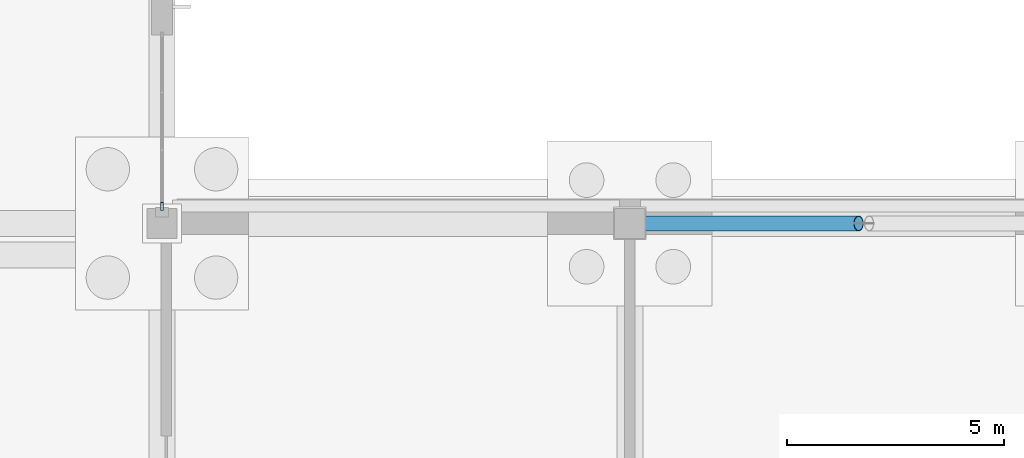
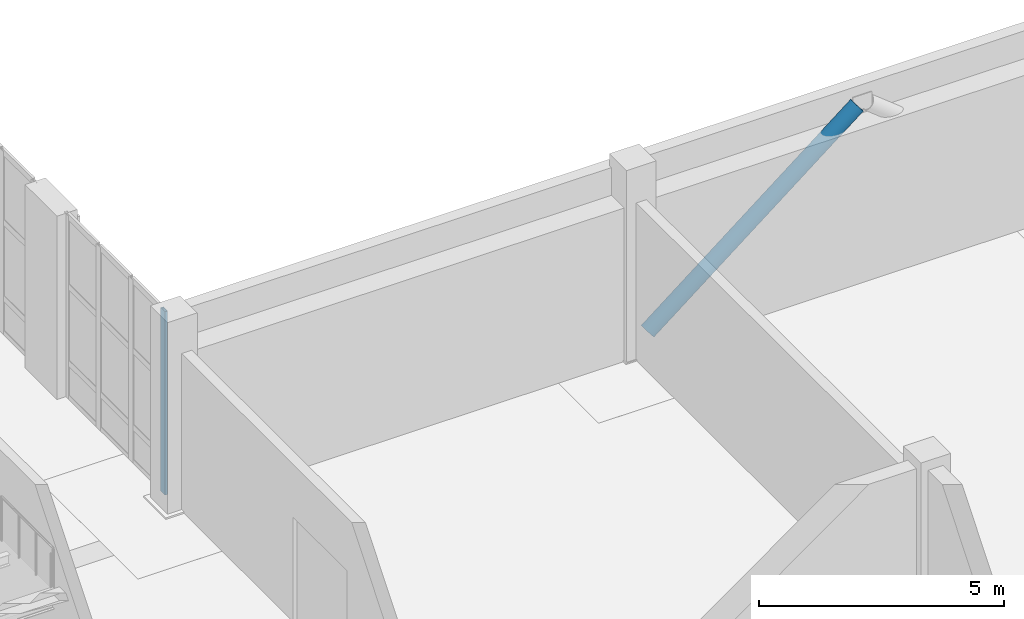
# One storey, part 35 of 73: 2 members, 1 element without a shape of its own.
"""IFC4 building model written with IfcOpenShell, lengths in metres."""

import ifcopenshell
import ifcopenshell.guid

model = None  # the IFC model being written
_history = None  # IfcOwnerHistory: only IFC2X3 demands one
_inside = {}  # id of a spatial element -> (the spatial element, [elements in it])
_under = {}  # id of a project, library or spatial element -> (it, [spatial elements below it])
_declared = {}  # id of a project -> (the project, [libraries it declares])
_typed = {}  # id of a type object -> (the type object, [elements of that type])
_made_of = {}  # id of a material, layer set ... -> (it, [elements and type objects made of it])


def new_model(schema):
    """Start an empty IFC model of exactly this schema.

    Asked for "IFC4X3", IfcOpenShell would pick the latest addendum, in which some entities
    have other attributes; the version numbers below select the first issue.
    IFC2X3 requires an IfcOwnerHistory on every rooted entity: one is made here for all.
    """
    global model, _history
    if schema == "IFC4X3":
        model = ifcopenshell.file(schema_version=(4, 3, 0, 0))
    else:
        model = ifcopenshell.file(schema=schema)
    _inside.clear()
    _under.clear()
    _declared.clear()
    _typed.clear()
    _made_of.clear()
    _history = None
    if model.schema == "IFC2X3":
        org = make("IfcOrganization", Name="unknown")
        user = make(
            "IfcPersonAndOrganization",
            ThePerson=make("IfcPerson", FamilyName="unknown"),
            TheOrganization=org,
        )
        app = make(
            "IfcApplication",
            ApplicationDeveloper=org,
            Version="unknown",
            ApplicationFullName="unknown",
            ApplicationIdentifier="unknown",
        )
        _history = make(
            "IfcOwnerHistory",
            OwningUser=user,
            OwningApplication=app,
            ChangeAction="ADDED",
            CreationDate=0,
        )
    return model


def make(cls, **values):
    """One entity of the class cls with the attributes given. An attribute that is None is left unset."""
    return model.create_entity(
        cls, **{name: value for name, value in values.items() if value is not None}
    )


def rooted(cls, **values):
    """An entity with a GlobalId (a new one), such as an element, a storey or a relation."""
    return make(cls, GlobalId=ifcopenshell.guid.new(), OwnerHistory=_history, **values)


def si_unit(unit_type, name, prefix=None):
    """IfcSIUnit, for example si_unit("LENGTHUNIT", "METRE", prefix="MILLI")."""
    return make("IfcSIUnit", UnitType=unit_type, Prefix=prefix, Name=name)


def assignment(units):
    """IfcUnitAssignment: the units of a project."""
    return None if units is None else make("IfcUnitAssignment", Units=units)


def point(xyz):
    """IfcCartesianPoint."""
    return None if xyz is None else make("IfcCartesianPoint", Coordinates=xyz)


def direction(xyz):
    """IfcDirection."""
    return None if xyz is None else make("IfcDirection", DirectionRatios=xyz)


def frame(location, z_axis=None, x_axis=None):
    """IfcAxis2Placement3D, a coordinate frame: its origin and axes. An axis left out is left unset."""
    return make(
        "IfcAxis2Placement3D",
        Location=point(location),
        Axis=direction(z_axis),
        RefDirection=direction(x_axis),
    )


def frame_2d(location, x_axis=None):
    """IfcAxis2Placement2D, a coordinate frame in the plane: its origin and x axis."""
    return make(
        "IfcAxis2Placement2D", Location=point(location), RefDirection=direction(x_axis)
    )


def origin():
    """The frame at (0, 0, 0) with its axes left unset."""
    return frame((0.0, 0.0, 0.0))


def origin_2d():
    """The frame at (0, 0) in the plane with its x axis left unset."""
    return frame_2d((0.0, 0.0))


def place(relative_to, where):
    """IfcLocalPlacement: puts the frame where relative to a parent placement (None: the world)."""
    return make(
        "IfcLocalPlacement", PlacementRelTo=relative_to, RelativePlacement=where
    )


def context(
    kind, dimensions, precision=None, world=None, true_north=None, identifier=None
):
    """IfcGeometricRepresentationContext, for example the 3D "Model" context."""
    return make(
        "IfcGeometricRepresentationContext",
        ContextIdentifier=identifier,
        ContextType=kind,
        CoordinateSpaceDimension=dimensions,
        Precision=precision,
        WorldCoordinateSystem=world,
        TrueNorth=true_north,
    )


def subcontext(parent, identifier, kind, view, scale=None):
    """IfcGeometricRepresentationSubContext, for example "Body" below "Model"."""
    return make(
        "IfcGeometricRepresentationSubContext",
        ContextIdentifier=identifier,
        ContextType=kind,
        ParentContext=parent,
        TargetScale=scale,
        TargetView=view,
    )


def project(units=None, contexts=None):
    """IfcProject with its units and contexts."""
    return rooted(
        "IfcProject",
        Name="project",
        RepresentationContexts=contexts,
        UnitsInContext=assignment(units),
    )


def spatial(cls, under=None, at=None, **own):
    """A site, building, storey or space (cls), placed at a placement, below another one or the project."""
    s = rooted(cls, ObjectPlacement=at, **own)
    if under is not None:
        _under.setdefault(under.id(), (under, []))[1].append(s)
    return s


def profile(cls, at=None, kind="AREA", **sizes):
    """A parametric profile (cls). Its sizes go by their IFC names, for example OverallWidth=200.0."""
    return make(cls, ProfileType=kind, Position=at, **sizes)


def hollow_rectangle(**sizes):
    """IfcRectangleHollowProfileDef."""
    return profile("IfcRectangleHollowProfileDef", **sizes)


def hollow_circle(**sizes):
    """IfcCircleHollowProfileDef."""
    return profile("IfcCircleHollowProfileDef", **sizes)


def extrude(swept, where, along, depth):
    """IfcExtrudedAreaSolid: the profile swept, set in the frame where, extruded along a direction by depth."""
    return make(
        "IfcExtrudedAreaSolid",
        SweptArea=swept,
        Position=where,
        ExtrudedDirection=direction(along),
        Depth=depth,
    )


def shape(context_of_items, identifier, shape_type, items):
    """IfcShapeRepresentation: the items that make up one representation, for example the "Body"."""
    return make(
        "IfcShapeRepresentation",
        ContextOfItems=context_of_items,
        RepresentationIdentifier=identifier,
        RepresentationType=shape_type,
        Items=items,
    )


def material(Name=None, Category=None):
    """IfcMaterial."""
    return make("IfcMaterial", Name=Name, Category=Category)


def layer(
    of_material, thickness, ventilated=None, Name=None, Category=None, Priority=None
):
    """IfcMaterialLayer: one layer of a wall or slab, of a material (None: an air gap)."""
    return make(
        "IfcMaterialLayer",
        Material=of_material,
        LayerThickness=thickness,
        IsVentilated=ventilated,
        Name=Name,
        Category=Category,
        Priority=Priority,
    )


def layer_set(layers, Name=None):
    """IfcMaterialLayerSet."""
    return make("IfcMaterialLayerSet", MaterialLayers=layers, LayerSetName=Name)


def material_profile(
    of_material, cross_section, Name=None, Category=None, Priority=None
):
    """IfcMaterialProfile: a cross section and its material."""
    return make(
        "IfcMaterialProfile",
        Name=Name,
        Material=of_material,
        Profile=cross_section,
        Priority=Priority,
        Category=Category,
    )


def profile_set(profiles, Name=None, composite=None):
    """IfcMaterialProfileSet."""
    return make(
        "IfcMaterialProfileSet",
        Name=Name,
        MaterialProfiles=profiles,
        CompositeProfile=composite,
    )


def made_of(thing, what):
    """Note that an element or type object is made of a material, layer set ...; save() writes the relation."""
    if what is not None:
        _made_of.setdefault(what.id(), (what, []))[1].append(thing)
    return thing


def type_object(cls, material=None, **own):
    """A type object (cls), such as IfcWallType, which elements share."""
    return made_of(rooted(cls, **own), material)


def element(
    cls,
    number,
    at=None,
    inside=None,
    cuts=None,
    type_object=None,
    material=None,
    context=None,
    identifier="Body",
    shape_type=None,
    held_by="IfcProductDefinitionShape",
    body=None,
    shapes=None,
    **own,
):
    """One element of the class cls, such as IfcWall. Its Tag is "e" and its number.

    at: its placement. inside: the storey or other place that contains it. cuts: it is an
    opening in that element (IfcRelVoidsElement). A single representation is given by context,
    identifier, shape_type and body (its items); several are given by shapes. held_by: the class
    of the entity that holds the representations. save() writes the other relations.
    """
    e = rooted(cls, Tag="e%d" % number, ObjectPlacement=at, **own)
    if body is not None:
        shapes = [shape(context, identifier, shape_type, body)]
    if shapes is not None:
        e.Representation = make(held_by, Representations=shapes)
    if inside is not None:
        _inside.setdefault(inside.id(), (inside, []))[1].append(e)
    if cuts is not None:
        rooted(
            "IfcRelVoidsElement", RelatingBuildingElement=cuts, RelatedOpeningElement=e
        )
    if type_object is not None:
        _typed.setdefault(type_object.id(), (type_object, []))[1].append(e)
    return made_of(e, material)


def aggregate(whole, parts):
    """IfcRelAggregates: a whole, such as a stair, and the parts it consists of."""
    return rooted("IfcRelAggregates", RelatingObject=whole, RelatedObjects=parts)


def save(model, path):
    """Write the relations noted so far, then the file.

    IfcRelAggregates (storeys below a building ...), IfcRelContainedInSpatialStructure (elements
    in a storey), IfcRelDefinesByType, IfcRelAssociatesMaterial and IfcRelDeclares: one each for
    every whole, place, type object, material and project.
    """
    for whole, parts in _under.values():
        aggregate(whole, parts)
    for where, things in _inside.values():
        rooted(
            "IfcRelContainedInSpatialStructure",
            RelatedElements=things,
            RelatingStructure=where,
        )
    for kind, things in _typed.values():
        rooted("IfcRelDefinesByType", RelatedObjects=things, RelatingType=kind)
    for what, things in _made_of.values():
        rooted("IfcRelAssociatesMaterial", RelatedObjects=things, RelatingMaterial=what)
    for by, libraries in _declared.values():
        rooted("IfcRelDeclares", RelatingContext=by, RelatedDefinitions=libraries)
    model.write(path)


model = new_model("IFC4")

# Units and contexts
model_context = context("Model", 3, precision=1e-05, world=origin(), true_north=direction((0.0, 1.0)))
body_context = subcontext(model_context, "Body", "Model", "MODEL_VIEW")
ifc_project = project(units=[si_unit("LENGTHUNIT", "METRE"), si_unit("AREAUNIT", "SQUARE_METRE"), si_unit("VOLUMEUNIT", "CUBIC_METRE"), si_unit("PLANEANGLEUNIT", "RADIAN"), si_unit("MASSUNIT", "GRAM", prefix="KILO")], contexts=[model_context])

# Site, building, storey
site_placement = place(None, origin())
site = spatial("IfcSite", under=ifc_project, at=site_placement, CompositionType="ELEMENT")
building_placement = place(site_placement, origin())
building = spatial("IfcBuilding", under=site, at=building_placement, Name="Tasgan Crest Museum", CompositionType="ELEMENT")
storey_placement = place(building_placement, origin())
storey = spatial("IfcBuildingStorey", under=building, at=storey_placement, Name="L00", CompositionType="ELEMENT", Elevation=0.0)

# Curtain wall, member
ifc_material_1 = material(Name="Triple-Glazed Aluminium Curtain Wall", Category="aluminium")
ifc_layer = layer(ifc_material_1, 0.179931640625, Name="CW-DRUM-Y10-48")
ifc_layer_set = layer_set([ifc_layer], Name="Triple-Glazed Aluminium Curtain Wall")
curtain_wall_type = type_object("IfcCurtainWallType", Name="CW-DRUM-Y10-48", PredefinedType="NOTDEFINED", material=ifc_layer_set)
curtain_wall_placement = place(storey_placement, origin())
curtain_wall = element("IfcCurtainWall", 1, at=curtain_wall_placement, inside=storey, type_object=curtain_wall_type, Name="Curtain wall L00 013", PredefinedType="NOTDEFINED")
ifc_material_2 = material(Name="Anodised Aluminium", Category="aluminium")
ifc_material_profile_1 = material_profile(ifc_material_2, hollow_rectangle(XDim=0.06494140625, YDim=0.179931640625, WallThickness=0.0048828125, at=origin_2d()), Name="ALU MULLION 180x65x5")
ifc_profile_set_1 = profile_set([ifc_material_profile_1], Name="Anodised Aluminium")
member_type_1 = type_object("IfcMemberType", Name="CW-MULLION-180", PredefinedType="MULLION", material=ifc_profile_set_1)
member_1_placement = place(storey_placement, frame((108.0, 62.39501953125, 0.0), z_axis=(0.0, 0.0, 1.0), x_axis=(-1.0, 0.0, 0.0)))
member_1 = element("IfcMember", 2, at=member_1_placement, type_object=member_type_1, Name="CW04 mullion 1", PredefinedType="MULLION", context=body_context, shape_type="SweptSolid", body=[
    extrude(hollow_rectangle(XDim=0.06494140625, YDim=0.179931640625, WallThickness=0.0048828125, at=origin_2d()), origin(), (0.0, 0.0, 1.0), 4.56005859375),
])
aggregate(curtain_wall, [member_1])

# Member
ifc_material_3 = material(Name="Steel S355K2", Category="steel")
ifc_material_profile_2 = material_profile(ifc_material_3, hollow_circle(Radius=0.177734375, WallThickness=0.01611328125, at=origin_2d()), Name="CHS 355.6x16")
ifc_profile_set_2 = profile_set([ifc_material_profile_2], Name="Steel S355K2")
member_type_2 = type_object("IfcMemberType", Name="MEM-BR-CHS355", PredefinedType="BRACE", material=ifc_profile_set_2)
member_2_placement = place(storey_placement, frame((119.14990234375, 62.0, 0.35009765625), z_axis=(0.784289898775, 0.0, 0.620394515353), x_axis=(0.0, 1.0, 0.0)))
element("IfcMember", 3, at=member_2_placement, inside=storey, type_object=member_type_2, Name="Chevron brace L L00 G 118.8", PredefinedType="BRACE", context=body_context, shape_type="SweptSolid", body=[
    extrude(hollow_circle(Radius=0.177734375, WallThickness=0.01611328125, at=origin_2d()), origin(), (0.0, 0.0, 1.0), 6.2861328125),
])

save(model, "model.ifc")
